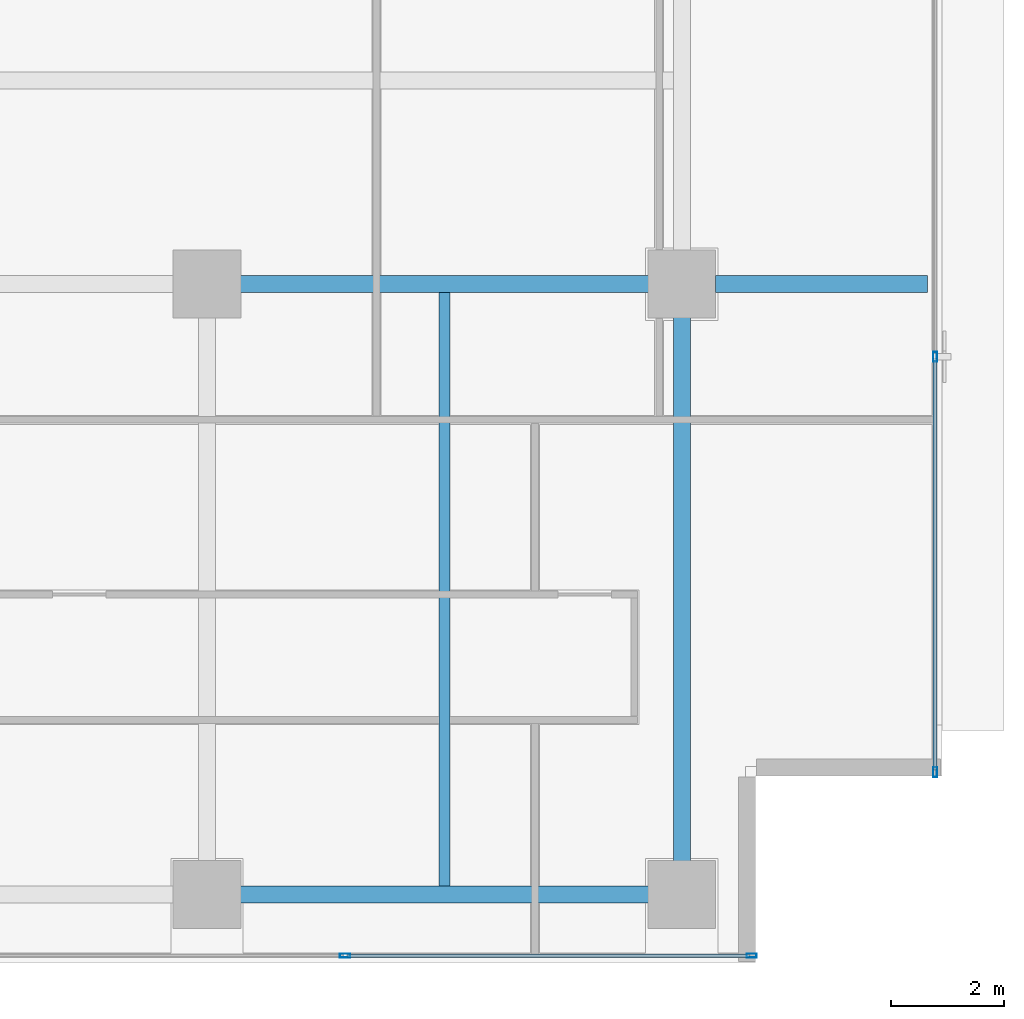
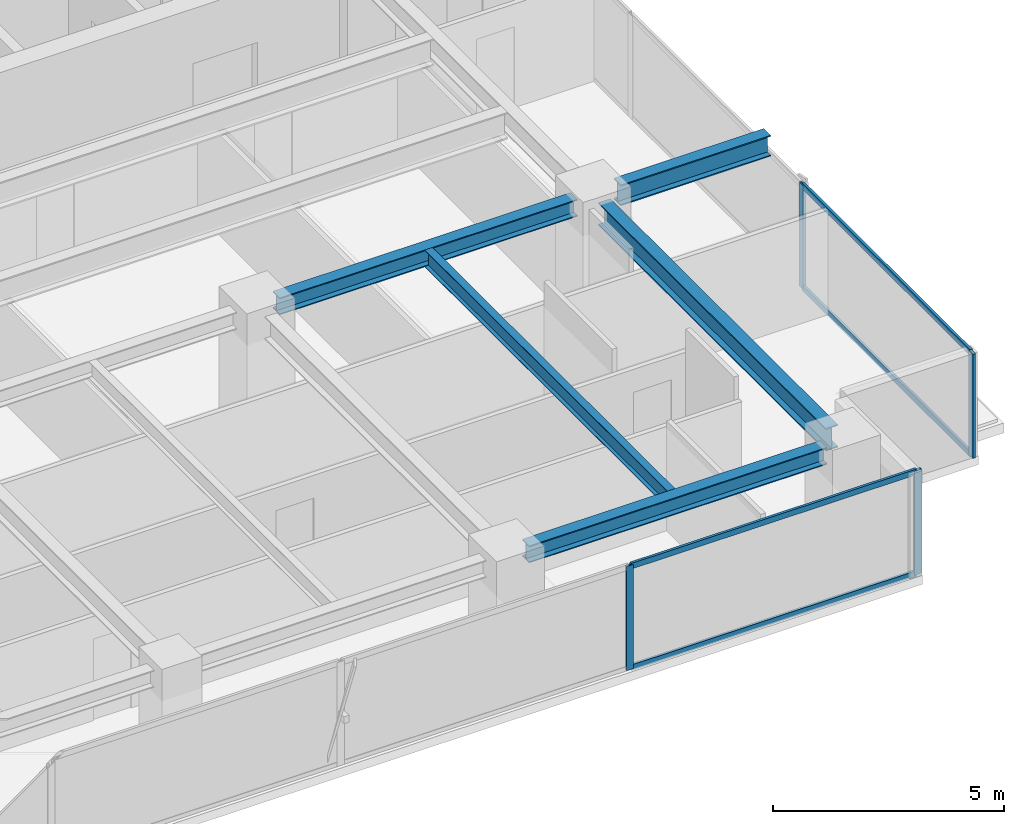
# One storey, part 9 of 22: 8 members, 5 beams, 2 elements without a shape of their own.
"""IFC4 building model written with IfcOpenShell, lengths in metres."""

from ifc_helpers import new_model, si_unit, direction, frame, origin, origin_2d, place, context, subcontext, project, spatial, hollow_rectangle, i_section, extrude, source, transform, mapped, material, layer, layer_set, material_profile, profile_set, type_object, element, aggregate, save


model = new_model("IFC4")

# Units and contexts
model_context = context("Model", 3, precision=1e-05, world=origin(), true_north=direction((0.0, 1.0)))
body_context = subcontext(model_context, "Body", "Model", "MODEL_VIEW")
ifc_project = project(units=[si_unit("LENGTHUNIT", "METRE"), si_unit("AREAUNIT", "SQUARE_METRE"), si_unit("VOLUMEUNIT", "CUBIC_METRE"), si_unit("PLANEANGLEUNIT", "RADIAN"), si_unit("MASSUNIT", "GRAM", prefix="KILO")], contexts=[model_context])

# Site, building, storey
site_placement = place(None, origin())
site = spatial("IfcSite", under=ifc_project, at=site_placement, CompositionType="ELEMENT")
building_placement = place(site_placement, origin())
building = spatial("IfcBuilding", under=site, at=building_placement, Name="Sumidabori Civic Tower", CompositionType="ELEMENT")
storey_placement = place(building_placement, frame((0.0, 0.0, 272.0)))
storey = spatial("IfcBuildingStorey", under=building, at=storey_placement, Name="L71", CompositionType="ELEMENT", Elevation=272.0)

# Beams
ifc_material_1 = material(Name="Steel SN490", Category="steel")
ifc_material_profile_1 = material_profile(ifc_material_1, i_section(OverallWidth=0.300048828125, OverallDepth=0.60009765625, WebThickness=0.015380859375, FlangeThickness=0.030029296875, at=origin_2d()), Name="HE 600 B")
ifc_profile_set_1 = profile_set([ifc_material_profile_1], Name="Steel SN490")
beam_type_1 = type_object("IfcBeamType", Name="BM-GIRD-600", PredefinedType="BEAM", material=ifc_profile_set_1)
shared_shape_1 = source(origin(), body_context, "Body", "SweptSolid", [
    extrude(i_section(OverallWidth=0.300048828125, OverallDepth=0.60009765625, WebThickness=0.015380859375, FlangeThickness=0.030029296875, at=origin_2d()), origin(), (0.0, 0.0, 1.0), 9.840087890625),
])
beam_1_placement = place(storey_placement, frame((16.800048828125, -10.320068359375, 3.070068359375), z_axis=(0.0, 1.0, 0.0), x_axis=(-1.0, 0.0, 0.0)))
element("IfcBeam", 1, at=beam_1_placement, inside=storey, type_object=beam_type_1, Name="Primary Girder L71 GY-15", PredefinedType="BEAM", context=body_context, shape_type="MappedRepresentation", body=[
    mapped(shared_shape_1, transform((0.0, 0.0, 0.0), x_axis=(1.0, 0.0, 0.0), y_axis=(0.0, 1.0, 0.0), z_axis=(0.0, 0.0, 1.0), scale=1.0)),
])
ifc_material_profile_2 = material_profile(ifc_material_1, i_section(OverallWidth=0.300048828125, OverallDepth=0.449951171875, WebThickness=0.013916015625, FlangeThickness=0.02587890625, at=origin_2d()), Name="HE 450 B")
ifc_profile_set_2 = profile_set([ifc_material_profile_2], Name="Steel SN490")
beam_type_2 = type_object("IfcBeamType", Name="BM-GIRD-450", PredefinedType="BEAM", material=ifc_profile_set_2)
shared_shape_2 = source(origin(), body_context, "Body", "SweptSolid", [
    extrude(i_section(OverallWidth=0.300048828125, OverallDepth=0.449951171875, WebThickness=0.013916015625, FlangeThickness=0.02587890625, at=origin_2d()), origin(), (0.0, 0.0, 1.0), 7.440185546875),
])
for number, where, z_axis, x_axis, name in (
    (2, (8.8798828125, -10.800048828125, 3.14501953125), (1.0, 0.0, 0.0), (0.0, 1.0, 0.0), "Primary Girder L71 GX-04"),
    (3, (8.8798828125, 0.0, 3.14501953125), (1.0, 0.0, 0.0), (0.0, 1.0, 0.0), "Primary Girder L71 GX-08"),
):
    element("IfcBeam", number, at=place(storey_placement, frame(where, z_axis=z_axis, x_axis=x_axis)), inside=storey, type_object=beam_type_2, Name=name, PredefinedType="BEAM", context=body_context, shape_type="MappedRepresentation", body=[
        mapped(shared_shape_2, transform((0.0, 0.0, 0.0), x_axis=(1.0, 0.0, 0.0), y_axis=(0.0, 1.0, 0.0), z_axis=(0.0, 0.0, 1.0), scale=1.0)),
    ])
ifc_material_profile_3 = material_profile(ifc_material_1, i_section(OverallWidth=0.18994140625, OverallDepth=0.449951171875, WebThickness=0.009521484375, FlangeThickness=0.0146484375, at=origin_2d()), Name="IPE 450")
ifc_profile_set_3 = profile_set([ifc_material_profile_3], Name="Steel SN490")
beam_type_3 = type_object("IfcBeamType", Name="BM-JST-450", PredefinedType="JOIST", material=ifc_profile_set_3)
shared_shape_3 = source(origin(), body_context, "Body", "SweptSolid", [
    extrude(i_section(OverallWidth=0.18994140625, OverallDepth=0.449951171875, WebThickness=0.009521484375, FlangeThickness=0.0146484375, at=origin_2d()), origin(), (0.0, 0.0, 1.0), 10.5),
])
beam_2_placement = place(storey_placement, frame((12.60009765625, -10.64990234375, 3.14501953125), z_axis=(0.0, 1.0, 0.0), x_axis=(-1.0, 0.0, 0.0)))
element("IfcBeam", 4, at=beam_2_placement, inside=storey, type_object=beam_type_3, Name="Upper Lens N-S Floor Joist L71 JSTV-27", PredefinedType="JOIST", context=body_context, shape_type="MappedRepresentation", body=[
    mapped(shared_shape_3, transform((0.0, 0.0, 0.0), x_axis=(1.0, 0.0, 0.0), y_axis=(0.0, 1.0, 0.0), z_axis=(0.0, 0.0, 1.0), scale=1.0)),
])
ifc_material_profile_4 = material_profile(ifc_material_1, i_section(OverallWidth=0.300048828125, OverallDepth=0.550048828125, WebThickness=0.014892578125, FlangeThickness=0.029052734375, at=origin_2d()), Name="HE 550 B")
ifc_profile_set_4 = profile_set([ifc_material_profile_4], Name="Steel SN490")
beam_type_4 = type_object("IfcBeamType", Name="BM-Z4-EDGE", PredefinedType="SPANDREL", material=ifc_profile_set_4)
shared_shape_4 = source(origin(), body_context, "Body", "SweptSolid", [
    extrude(i_section(OverallWidth=0.300048828125, OverallDepth=0.550048828125, WebThickness=0.014892578125, FlangeThickness=0.029052734375, at=origin_2d()), origin(), (0.0, 0.0, 1.0), 3.75),
])
beam_3_placement = place(storey_placement, frame((17.39990234375, 0.0, 3.094970703125), z_axis=(1.0, 0.0, 0.0), x_axis=(0.0, 1.0, 0.0)))
element("IfcBeam", 5, at=beam_3_placement, inside=storey, type_object=beam_type_4, Name="Perimeter Overhang Beam L71 E-18", PredefinedType="SPANDREL", context=body_context, shape_type="MappedRepresentation", body=[
    mapped(shared_shape_4, transform((0.0, 0.0, 0.0), x_axis=(1.0, 0.0, 0.0), y_axis=(0.0, 1.0, 0.0), z_axis=(0.0, 0.0, 1.0), scale=1.0)),
])

# Curtain wall, members
ifc_material_2 = material(Name="Anodised Bronze Aluminium AW-6063-T6", Category="aluminium")
ifc_layer = layer(ifc_material_2, 0.179931640625, Name="Anodised Bronze Aluminium AW-6063-T6")
ifc_layer_set = layer_set([ifc_layer], Name="Anodised Bronze Aluminium AW-6063-T6")
curtain_wall_type = type_object("IfcCurtainWallType", Name="CW-SYS-6", PredefinedType="NOTDEFINED", material=ifc_layer_set)
curtain_wall_1_placement = place(storey_placement, origin())
curtain_wall_1 = element("IfcCurtainWall", 6, at=curtain_wall_1_placement, inside=storey, type_object=curtain_wall_type, Name="Curtain Wall CW:L71:R01", PredefinedType="NOTDEFINED")
ifc_material_profile_5 = material_profile(ifc_material_2, hollow_rectangle(XDim=0.070068359375, YDim=0.179931640625, WallThickness=0.006103515625, at=origin_2d()), Name="ALU MULLION 180x70")
ifc_profile_set_5 = profile_set([ifc_material_profile_5], Name="Anodised Bronze Aluminium AW-6063-T6")
member_type_1 = type_object("IfcMemberType", Name="CW-MUL-180", PredefinedType="MULLION", material=ifc_profile_set_5)
shared_shape_5 = source(origin(), body_context, "Body", "SweptSolid", [
    extrude(hollow_rectangle(XDim=0.070068359375, YDim=0.179931640625, WallThickness=0.006103515625, at=origin_2d()), origin(), (0.0, 0.0, 1.0), 2.75),
])
member_1_placement = place(storey_placement, frame((10.842041015625, -11.8798828125, 0.0), z_axis=(0.0, 0.0, 1.0), x_axis=(0.0, 1.0, 0.0)))
member_1 = element("IfcMember", 7, at=member_1_placement, type_object=member_type_1, Name="CW-6 mullion 5", PredefinedType="MULLION", context=body_context, shape_type="MappedRepresentation", body=[
    mapped(shared_shape_5, transform((0.0, 0.0, 0.0), x_axis=(1.0, 0.0, 0.0), y_axis=(0.0, 1.0, 0.0), z_axis=(0.0, 0.0, 1.0), scale=1.0)),
])
member_2_placement = place(storey_placement, frame((18.034912109375, -11.8798828125, 0.0), z_axis=(0.0, 0.0, 1.0), x_axis=(0.0, 1.0, 0.0)))
member_2 = element("IfcMember", 8, at=member_2_placement, type_object=member_type_1, Name="CW-6 mullion 6", PredefinedType="MULLION", context=body_context, shape_type="MappedRepresentation", body=[
    mapped(shared_shape_5, transform((0.0, 0.0, 0.0), x_axis=(1.0, 0.0, 0.0), y_axis=(0.0, 1.0, 0.0), z_axis=(0.0, 0.0, 1.0), scale=1.0)),
])

curtain_wall_2_placement = place(storey_placement, origin())
curtain_wall_2 = element("IfcCurtainWall", 9, at=curtain_wall_2_placement, inside=storey, type_object=curtain_wall_type, Name="Curtain Wall CW:L71:R04", PredefinedType="NOTDEFINED")
member_3_placement = place(storey_placement, frame((21.280029296875, -8.635009765625, 0.0), z_axis=(0.0, 0.0, 1.0), x_axis=(-1.0, 0.0, 0.0)))
member_3 = element("IfcMember", 10, at=member_3_placement, type_object=member_type_1, Name="CW-6 mullion 1", PredefinedType="MULLION", context=body_context, shape_type="MappedRepresentation", body=[
    mapped(shared_shape_5, transform((0.0, 0.0, 0.0), x_axis=(1.0, 0.0, 0.0), y_axis=(0.0, 1.0, 0.0), z_axis=(0.0, 0.0, 1.0), scale=1.0)),
])
member_4_placement = place(storey_placement, frame((21.280029296875, -1.284912109375, 0.0), z_axis=(0.0, 0.0, 1.0), x_axis=(-1.0, 0.0, 0.0)))
member_4 = element("IfcMember", 11, at=member_4_placement, type_object=member_type_1, Name="CW-6 mullion 2", PredefinedType="MULLION", context=body_context, shape_type="MappedRepresentation", body=[
    mapped(shared_shape_5, transform((0.0, 0.0, 0.0), x_axis=(1.0, 0.0, 0.0), y_axis=(0.0, 1.0, 0.0), z_axis=(0.0, 0.0, 1.0), scale=1.0)),
])

# Member
ifc_material_profile_6 = material_profile(ifc_material_2, hollow_rectangle(XDim=0.06494140625, YDim=0.14990234375, WallThickness=0.0048828125, at=origin_2d()), Name="ALU TRANSOM 150x65")
ifc_profile_set_6 = profile_set([ifc_material_profile_6], Name="Anodised Bronze Aluminium AW-6063-T6")
member_type_2 = type_object("IfcMemberType", Name="CW-TRN-150", PredefinedType="USERDEFINED", material=ifc_profile_set_6)
shared_shape_6 = source(origin(), body_context, "Body", "SweptSolid", [
    extrude(hollow_rectangle(XDim=0.06494140625, YDim=0.14990234375, WallThickness=0.0048828125, at=origin_2d()), origin(), (0.0, 0.0, 1.0), 7.123046875),
])
member_5_placement = place(storey_placement, frame((10.876953125, -11.8798828125, 0.032470703125), z_axis=(1.0, 0.0, 0.0), x_axis=(0.0, 1.0, 0.0)))
member_5 = element("IfcMember", 12, at=member_5_placement, type_object=member_type_2, Name="CW-6 transom 5.1", ObjectType="TRANSOM", PredefinedType="USERDEFINED", context=body_context, shape_type="MappedRepresentation", body=[
    mapped(shared_shape_6, transform((0.0, 0.0, 0.0), x_axis=(1.0, 0.0, 0.0), y_axis=(0.0, 1.0, 0.0), z_axis=(0.0, 0.0, 1.0), scale=1.0)),
])

member_6_placement = place(storey_placement, frame((10.876953125, -11.8798828125, 2.717529296875), z_axis=(1.0, 0.0, 0.0), x_axis=(0.0, 1.0, 0.0)))
member_6 = element("IfcMember", 13, at=member_6_placement, type_object=member_type_2, Name="CW-6 transom 5.2", ObjectType="TRANSOM", PredefinedType="USERDEFINED", context=body_context, shape_type="MappedRepresentation", body=[
    mapped(shared_shape_6, transform((0.0, 0.0, 0.0), x_axis=(1.0, 0.0, 0.0), y_axis=(0.0, 1.0, 0.0), z_axis=(0.0, 0.0, 1.0), scale=1.0)),
])

aggregate(curtain_wall_1, [member_1, member_2, member_5, member_6])

shared_shape_7 = source(origin(), body_context, "Body", "SweptSolid", [
    extrude(hollow_rectangle(XDim=0.06494140625, YDim=0.14990234375, WallThickness=0.0048828125, at=origin_2d()), origin(), (0.0, 0.0, 1.0), 7.280029296875),
])
member_7_placement = place(storey_placement, frame((21.280029296875, -8.60009765625, 0.032470703125), z_axis=(0.0, 1.0, 0.0), x_axis=(-1.0, 0.0, 0.0)))
member_7 = element("IfcMember", 14, at=member_7_placement, type_object=member_type_2, Name="CW-6 transom 1.1", ObjectType="TRANSOM", PredefinedType="USERDEFINED", context=body_context, shape_type="MappedRepresentation", body=[
    mapped(shared_shape_7, transform((0.0, 0.0, 0.0), x_axis=(1.0, 0.0, 0.0), y_axis=(0.0, 1.0, 0.0), z_axis=(0.0, 0.0, 1.0), scale=1.0)),
])

member_8_placement = place(storey_placement, frame((21.280029296875, -8.60009765625, 2.717529296875), z_axis=(0.0, 1.0, 0.0), x_axis=(-1.0, 0.0, 0.0)))
member_8 = element("IfcMember", 15, at=member_8_placement, type_object=member_type_2, Name="CW-6 transom 1.2", ObjectType="TRANSOM", PredefinedType="USERDEFINED", context=body_context, shape_type="MappedRepresentation", body=[
    mapped(shared_shape_7, transform((0.0, 0.0, 0.0), x_axis=(1.0, 0.0, 0.0), y_axis=(0.0, 1.0, 0.0), z_axis=(0.0, 0.0, 1.0), scale=1.0)),
])

aggregate(curtain_wall_2, [member_3, member_4, member_7, member_8])

save(model, "model.ifc")
